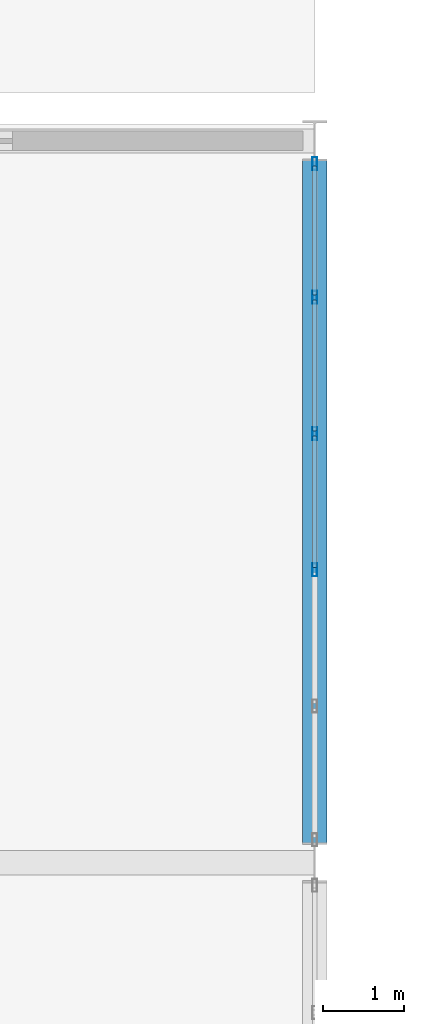
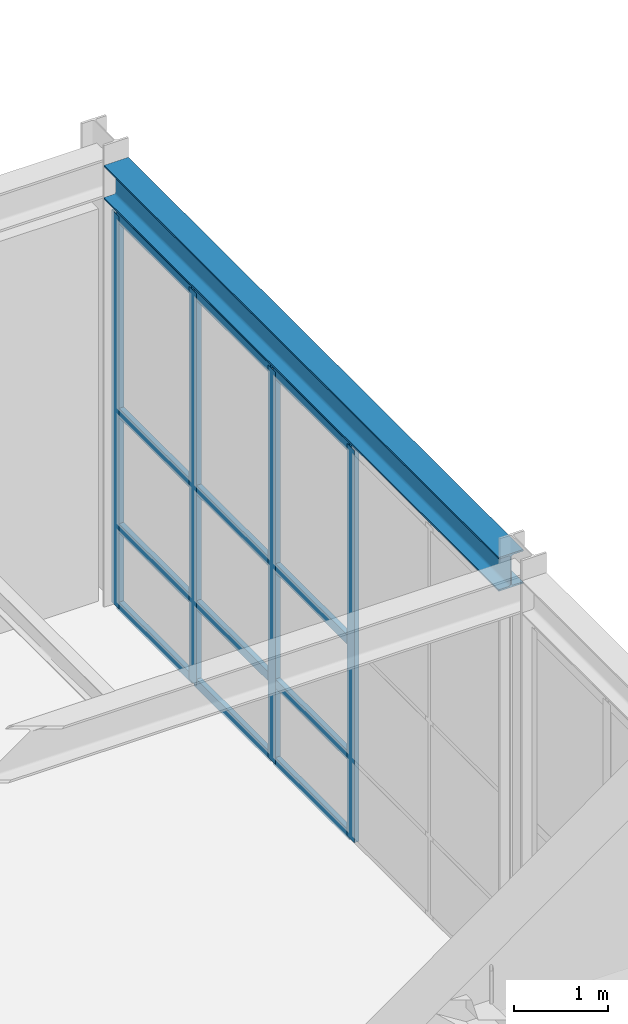
# One storey, part 87 of 146: 16 members, 1 beam, 1 element without a shape of its own.
"""IFC4 building model written with IfcOpenShell, lengths in metres."""

from ifc_helpers import new_model, si_unit, direction, frame, origin, origin_2d, place, context, subcontext, project, spatial, hollow_rectangle, i_section, extrude, material, material_profile, profile_set, type_object, element, aggregate, save


model = new_model("IFC4")

# Units and contexts
model_context = context("Model", 3, precision=1e-05, world=origin(), true_north=direction((0.0, 1.0)))
body_context = subcontext(model_context, "Body", "Model", "MODEL_VIEW")
ifc_project = project(units=[si_unit("LENGTHUNIT", "METRE"), si_unit("AREAUNIT", "SQUARE_METRE"), si_unit("VOLUMEUNIT", "CUBIC_METRE"), si_unit("PLANEANGLEUNIT", "RADIAN"), si_unit("MASSUNIT", "GRAM", prefix="KILO")], contexts=[model_context])

# Site, building, storey
site_placement = place(None, origin())
site = spatial("IfcSite", under=ifc_project, at=site_placement, CompositionType="ELEMENT")
building_placement = place(site_placement, origin())
building = spatial("IfcBuilding", under=site, at=building_placement, Name="Kaldris Quays Convention Centre", CompositionType="ELEMENT")
storey_placement = place(building_placement, origin())
storey = spatial("IfcBuildingStorey", under=building, at=storey_placement, Name="L00", CompositionType="ELEMENT", Elevation=0.0)

# Curtain wall, members
ifc_material_1 = material(Name="Anodized aluminium AW-6060 and triple glazing", Category="aluminium")
curtain_wall_type = type_object("IfcCurtainWallType", Name="UNITISED CURTAIN WALL CW02", PredefinedType="NOTDEFINED", material=ifc_material_1)
curtain_wall_placement = place(storey_placement, origin())
curtain_wall = element("IfcCurtainWall", 1, at=curtain_wall_placement, inside=storey, type_object=curtain_wall_type, Name="L00 Unitised Curtain Wall CW02 184", PredefinedType="NOTDEFINED")
ifc_material_2 = material(Name="Anodized aluminium AW-6060", Category="aluminium")
ifc_material_profile_1 = material_profile(ifc_material_2, hollow_rectangle(XDim=0.06005859375, YDim=0.159912109375, WallThickness=0.00390625, at=origin_2d()), Name="RHS 160x60x4")
ifc_profile_set_1 = profile_set([ifc_material_profile_1], Name="Anodized aluminium AW-6060")
member_type_1 = type_object("IfcMemberType", Name="CURTAIN MULLION CWM1", PredefinedType="MULLION", material=ifc_profile_set_1)
member_1_placement = place(storey_placement, frame((204.0, 32.110107421875, 0.0), z_axis=(0.0, 0.0, 1.0), x_axis=(-1.0, 0.0, 0.0)))
member_1 = element("IfcMember", 2, at=member_1_placement, type_object=member_type_1, Name="CW02 mullion 3", PredefinedType="MULLION", context=body_context, shape_type="SweptSolid", body=[
    extrude(hollow_rectangle(XDim=0.06005859375, YDim=0.159912109375, WallThickness=0.00390625, at=origin_2d()), origin(), (0.0, 0.0, 1.0), 5.10009765625),
])
member_2_placement = place(storey_placement, frame((204.0, 33.7900390625, 0.0), z_axis=(0.0, 0.0, 1.0), x_axis=(-1.0, 0.0, 0.0)))
member_2 = element("IfcMember", 3, at=member_2_placement, type_object=member_type_1, Name="CW02 mullion 4", PredefinedType="MULLION", context=body_context, shape_type="SweptSolid", body=[
    extrude(hollow_rectangle(XDim=0.06005859375, YDim=0.159912109375, WallThickness=0.00390625, at=origin_2d()), origin(), (0.0, 0.0, 1.0), 5.10009765625),
])
member_3_placement = place(storey_placement, frame((204.0, 35.469970703125, 0.0), z_axis=(0.0, 0.0, 1.0), x_axis=(-1.0, 0.0, 0.0)))
member_3 = element("IfcMember", 4, at=member_3_placement, type_object=member_type_1, Name="CW02 mullion 5", PredefinedType="MULLION", context=body_context, shape_type="SweptSolid", body=[
    extrude(hollow_rectangle(XDim=0.06005859375, YDim=0.159912109375, WallThickness=0.00390625, at=origin_2d()), origin(), (0.0, 0.0, 1.0), 5.10009765625),
])
member_4_placement = place(storey_placement, frame((204.0, 37.1201171875, 0.0), z_axis=(0.0, 0.0, 1.0), x_axis=(-1.0, 0.0, 0.0)))
member_4 = element("IfcMember", 5, at=member_4_placement, type_object=member_type_1, Name="CW02 mullion 6", PredefinedType="MULLION", context=body_context, shape_type="SweptSolid", body=[
    extrude(hollow_rectangle(XDim=0.06005859375, YDim=0.159912109375, WallThickness=0.00390625, at=origin_2d()), origin(), (0.0, 0.0, 1.0), 5.10009765625),
])
ifc_material_profile_2 = material_profile(ifc_material_2, hollow_rectangle(XDim=0.06005859375, YDim=0.1201171875, WallThickness=0.00390625, at=origin_2d()), Name="RHS 120x60x4")
ifc_profile_set_2 = profile_set([ifc_material_profile_2], Name="Anodized aluminium AW-6060")
member_type_2 = type_object("IfcMemberType", Name="CURTAIN TRANSOM CWT1", PredefinedType="USERDEFINED", material=ifc_profile_set_2)
member_5_placement = place(storey_placement, frame((204.0, 32.139892578125, 0.030029296875), z_axis=(0.0, 1.0, 0.0), x_axis=(-1.0, 0.0, 0.0)))
member_5 = element("IfcMember", 6, at=member_5_placement, type_object=member_type_2, Name="CW02 transom 3.1", ObjectType="TRANSOM", PredefinedType="USERDEFINED", context=body_context, shape_type="SweptSolid", body=[
    extrude(hollow_rectangle(XDim=0.06005859375, YDim=0.1201171875, WallThickness=0.00390625, at=origin_2d()), origin(), (0.0, 0.0, 1.0), 1.6201171875),
])
member_6_placement = place(storey_placement, frame((204.0, 32.139892578125, 1.050048828125), z_axis=(0.0, 1.0, 0.0), x_axis=(-1.0, 0.0, 0.0)))
member_6 = element("IfcMember", 7, at=member_6_placement, type_object=member_type_2, Name="CW02 transom 3.2", ObjectType="TRANSOM", PredefinedType="USERDEFINED", context=body_context, shape_type="SweptSolid", body=[
    extrude(hollow_rectangle(XDim=0.06005859375, YDim=0.1201171875, WallThickness=0.00390625, at=origin_2d()), origin(), (0.0, 0.0, 1.0), 1.6201171875),
])
member_7_placement = place(storey_placement, frame((204.0, 32.139892578125, 2.550048828125), z_axis=(0.0, 1.0, 0.0), x_axis=(-1.0, 0.0, 0.0)))
member_7 = element("IfcMember", 8, at=member_7_placement, type_object=member_type_2, Name="CW02 transom 3.3", ObjectType="TRANSOM", PredefinedType="USERDEFINED", context=body_context, shape_type="SweptSolid", body=[
    extrude(hollow_rectangle(XDim=0.06005859375, YDim=0.1201171875, WallThickness=0.00390625, at=origin_2d()), origin(), (0.0, 0.0, 1.0), 1.6201171875),
])
member_8_placement = place(storey_placement, frame((204.0, 32.139892578125, 5.070068359375), z_axis=(0.0, 1.0, 0.0), x_axis=(-1.0, 0.0, 0.0)))
member_8 = element("IfcMember", 9, at=member_8_placement, type_object=member_type_2, Name="CW02 transom 3.4", ObjectType="TRANSOM", PredefinedType="USERDEFINED", context=body_context, shape_type="SweptSolid", body=[
    extrude(hollow_rectangle(XDim=0.06005859375, YDim=0.1201171875, WallThickness=0.00390625, at=origin_2d()), origin(), (0.0, 0.0, 1.0), 1.6201171875),
])
member_9_placement = place(storey_placement, frame((204.0, 33.820068359375, 0.030029296875), z_axis=(0.0, 1.0, 0.0), x_axis=(-1.0, 0.0, 0.0)))
member_9 = element("IfcMember", 10, at=member_9_placement, type_object=member_type_2, Name="CW02 transom 4.1", ObjectType="TRANSOM", PredefinedType="USERDEFINED", context=body_context, shape_type="SweptSolid", body=[
    extrude(hollow_rectangle(XDim=0.06005859375, YDim=0.1201171875, WallThickness=0.00390625, at=origin_2d()), origin(), (0.0, 0.0, 1.0), 1.619873046875),
])
member_10_placement = place(storey_placement, frame((204.0, 33.820068359375, 1.050048828125), z_axis=(0.0, 1.0, 0.0), x_axis=(-1.0, 0.0, 0.0)))
member_10 = element("IfcMember", 11, at=member_10_placement, type_object=member_type_2, Name="CW02 transom 4.2", ObjectType="TRANSOM", PredefinedType="USERDEFINED", context=body_context, shape_type="SweptSolid", body=[
    extrude(hollow_rectangle(XDim=0.06005859375, YDim=0.1201171875, WallThickness=0.00390625, at=origin_2d()), origin(), (0.0, 0.0, 1.0), 1.619873046875),
])
member_11_placement = place(storey_placement, frame((204.0, 33.820068359375, 2.550048828125), z_axis=(0.0, 1.0, 0.0), x_axis=(-1.0, 0.0, 0.0)))
member_11 = element("IfcMember", 12, at=member_11_placement, type_object=member_type_2, Name="CW02 transom 4.3", ObjectType="TRANSOM", PredefinedType="USERDEFINED", context=body_context, shape_type="SweptSolid", body=[
    extrude(hollow_rectangle(XDim=0.06005859375, YDim=0.1201171875, WallThickness=0.00390625, at=origin_2d()), origin(), (0.0, 0.0, 1.0), 1.619873046875),
])
member_12_placement = place(storey_placement, frame((204.0, 33.820068359375, 5.070068359375), z_axis=(0.0, 1.0, 0.0), x_axis=(-1.0, 0.0, 0.0)))
member_12 = element("IfcMember", 13, at=member_12_placement, type_object=member_type_2, Name="CW02 transom 4.4", ObjectType="TRANSOM", PredefinedType="USERDEFINED", context=body_context, shape_type="SweptSolid", body=[
    extrude(hollow_rectangle(XDim=0.06005859375, YDim=0.1201171875, WallThickness=0.00390625, at=origin_2d()), origin(), (0.0, 0.0, 1.0), 1.619873046875),
])
member_13_placement = place(storey_placement, frame((204.0, 35.5, 0.030029296875), z_axis=(0.0, 1.0, 0.0), x_axis=(-1.0, 0.0, 0.0)))
member_13 = element("IfcMember", 14, at=member_13_placement, type_object=member_type_2, Name="CW02 transom 5.1", ObjectType="TRANSOM", PredefinedType="USERDEFINED", context=body_context, shape_type="SweptSolid", body=[
    extrude(hollow_rectangle(XDim=0.06005859375, YDim=0.1201171875, WallThickness=0.00390625, at=origin_2d()), origin(), (0.0, 0.0, 1.0), 1.590087890625),
])
member_14_placement = place(storey_placement, frame((204.0, 35.5, 1.050048828125), z_axis=(0.0, 1.0, 0.0), x_axis=(-1.0, 0.0, 0.0)))
member_14 = element("IfcMember", 15, at=member_14_placement, type_object=member_type_2, Name="CW02 transom 5.2", ObjectType="TRANSOM", PredefinedType="USERDEFINED", context=body_context, shape_type="SweptSolid", body=[
    extrude(hollow_rectangle(XDim=0.06005859375, YDim=0.1201171875, WallThickness=0.00390625, at=origin_2d()), origin(), (0.0, 0.0, 1.0), 1.590087890625),
])
member_15_placement = place(storey_placement, frame((204.0, 35.5, 2.550048828125), z_axis=(0.0, 1.0, 0.0), x_axis=(-1.0, 0.0, 0.0)))
member_15 = element("IfcMember", 16, at=member_15_placement, type_object=member_type_2, Name="CW02 transom 5.3", ObjectType="TRANSOM", PredefinedType="USERDEFINED", context=body_context, shape_type="SweptSolid", body=[
    extrude(hollow_rectangle(XDim=0.06005859375, YDim=0.1201171875, WallThickness=0.00390625, at=origin_2d()), origin(), (0.0, 0.0, 1.0), 1.590087890625),
])
member_16_placement = place(storey_placement, frame((204.0, 35.5, 5.070068359375), z_axis=(0.0, 1.0, 0.0), x_axis=(-1.0, 0.0, 0.0)))
member_16 = element("IfcMember", 17, at=member_16_placement, type_object=member_type_2, Name="CW02 transom 5.4", ObjectType="TRANSOM", PredefinedType="USERDEFINED", context=body_context, shape_type="SweptSolid", body=[
    extrude(hollow_rectangle(XDim=0.06005859375, YDim=0.1201171875, WallThickness=0.00390625, at=origin_2d()), origin(), (0.0, 0.0, 1.0), 1.590087890625),
])
aggregate(curtain_wall, [member_1, member_2, member_3, member_4, member_5, member_6, member_7, member_8, member_9, member_10, member_11, member_12, member_13, member_14, member_15, member_16])

# Beam
ifc_material_3 = material(Name="Steel S355J2", Category="steel")
ifc_material_profile_3 = material_profile(ifc_material_3, i_section(OverallWidth=0.300048828125, OverallDepth=0.43994140625, WebThickness=0.011474609375, FlangeThickness=0.02099609375, FilletRadius=0.027099609375, at=origin_2d()), Name="HEA 450")
ifc_profile_set_3 = profile_set([ifc_material_profile_3], Name="Steel S355J2")
beam_type = type_object("IfcBeamType", Name="STRUCTURAL BEAM BM14", PredefinedType="BEAM", material=ifc_profile_set_3)
beam_placement = place(storey_placement, frame((204.0, 28.743896484375, 5.52294921875), z_axis=(0.0, 1.0, 0.0), x_axis=(-1.0, 0.0, 0.0)))
element("IfcBeam", 18, at=beam_placement, inside=storey, type_object=beam_type, Name="L00 Girder BM14 38", PredefinedType="BEAM", context=body_context, shape_type="SweptSolid", body=[
    extrude(i_section(OverallWidth=0.300048828125, OverallDepth=0.43994140625, WebThickness=0.011474609375, FlangeThickness=0.02099609375, FilletRadius=0.027099609375, at=origin_2d()), origin(), (0.0, 0.0, 1.0), 8.412109375),
])

save(model, "model.ifc")
